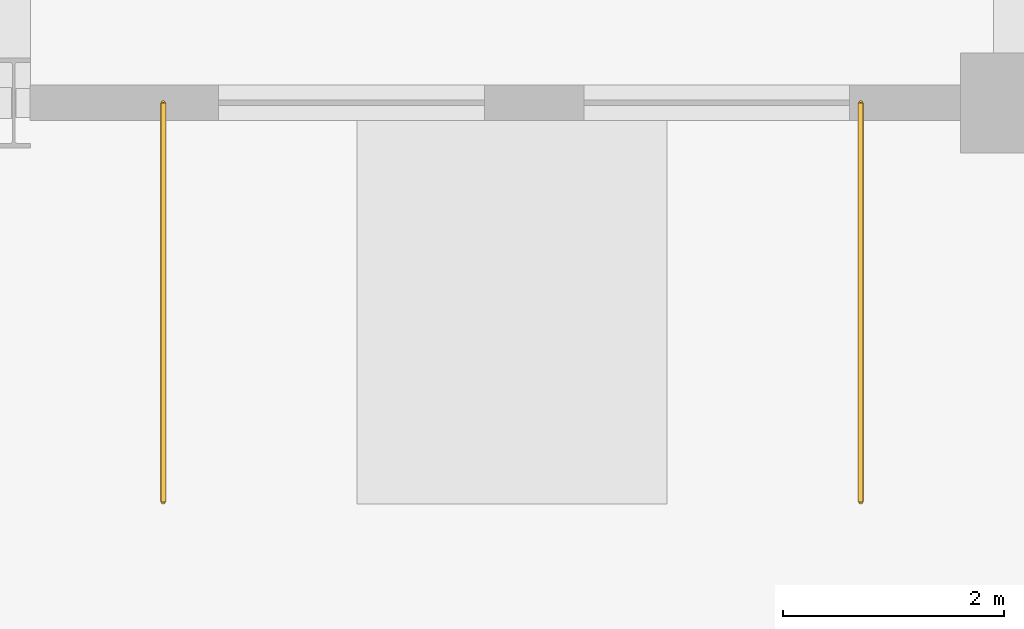
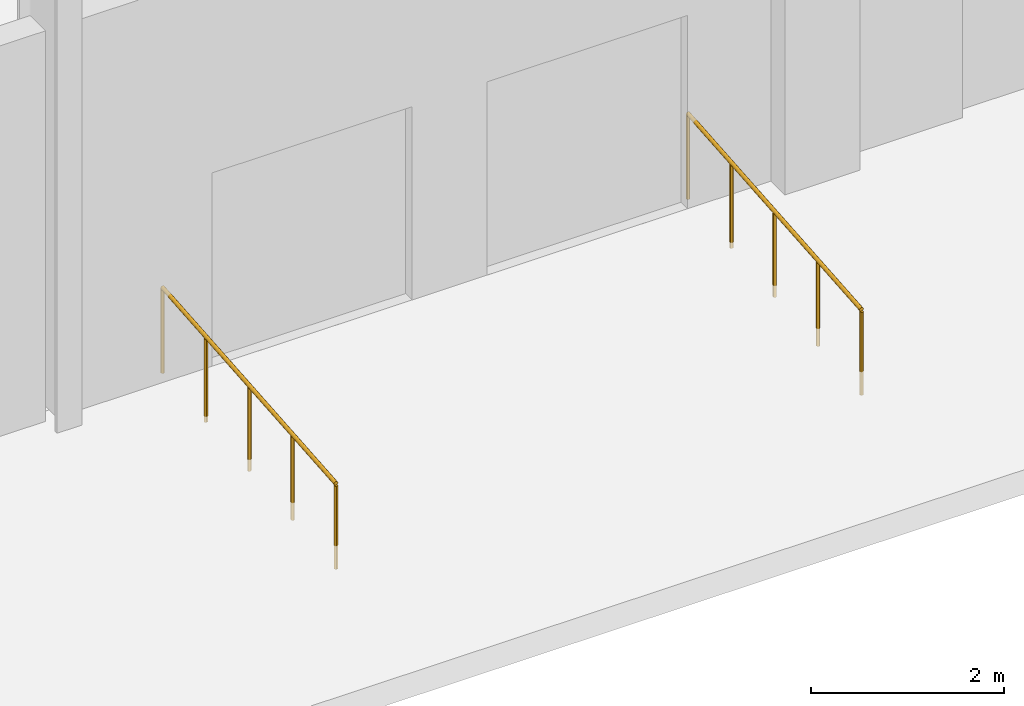
# One storey, part 47 of 58: 2 railings.
"""IFC4 building model written with IfcOpenShell, lengths in metres."""

from ifc_helpers import new_model, si_unit, direction, frame, origin, origin_2d, place, context, subcontext, project, spatial, circle, extrude, material, type_object, element, save


model = new_model("IFC4")

# Units and contexts
model_context = context("Model", 3, precision=1e-05, world=origin(), true_north=direction((0.0, 1.0)))
body_context = subcontext(model_context, "Body", "Model", "MODEL_VIEW")
ifc_project = project(units=[si_unit("LENGTHUNIT", "METRE"), si_unit("AREAUNIT", "SQUARE_METRE"), si_unit("VOLUMEUNIT", "CUBIC_METRE"), si_unit("PLANEANGLEUNIT", "RADIAN"), si_unit("MASSUNIT", "GRAM", prefix="KILO")], contexts=[model_context])

# Site, building, storey
site_placement = place(None, origin())
site = spatial("IfcSite", under=ifc_project, at=site_placement, CompositionType="ELEMENT")
building_placement = place(site_placement, origin())
building = spatial("IfcBuilding", under=site, at=building_placement, Name="Barlavento Convention Centre", CompositionType="ELEMENT")
storey_placement = place(building_placement, origin())
storey = spatial("IfcBuildingStorey", under=building, at=storey_placement, Name="L00", CompositionType="ELEMENT", Elevation=0.0)

# Railings
ifc_material = material(Name="Painted galvanized steel perimeter guardrail", Category="steel")
railing_type = type_object("IfcRailingType", Name="ARC-RAL-PAR-1100", PredefinedType="GUARDRAIL", material=ifc_material)
for number, where, name in (
    (1, (136.35009765625, -3.60009765625, -0.300048828125), "Accessible approach ramp west handrail guard GR02"),
    (2, (142.64990234375, -3.60009765625, -0.300048828125), "Accessible approach ramp east handrail guard GR02"),
):
    element("IfcRailing", number, at=place(storey_placement, frame(where)), inside=storey, type_object=railing_type, Name=name, PredefinedType="GUARDRAIL", context=body_context, shape_type="SweptSolid", body=[
        extrude(circle(Radius=0.02392578125, at=origin_2d()), frame((0.0, 0.0, 1.076171875), z_axis=(0.0, 0.996544826035, 0.083056665618), x_axis=(-1.0, 0.0, 0.0)), (0.0, 0.0, 1.0), 3.612548828125),
        extrude(circle(Radius=0.02099609375, at=origin_2d()), origin(), (0.0, 0.0, 1.0), 1.052001953125),
        extrude(circle(Radius=0.02099609375, at=origin_2d()), frame((0.0, 0.89990234375, 0.074951171875)), (0.0, 0.0, 1.0), 1.052001953125),
        extrude(circle(Radius=0.02099609375, at=origin_2d()), frame((0.0, 1.800048828125, 0.14990234375)), (0.0, 0.0, 1.0), 1.052001953125),
        extrude(circle(Radius=0.02099609375, at=origin_2d()), frame((0.0, 2.7001953125, 0.22509765625)), (0.0, 0.0, 1.0), 1.052001953125),
        extrude(circle(Radius=0.02099609375, at=origin_2d()), frame((0.0, 3.60009765625, 0.300048828125)), (0.0, 0.0, 1.0), 1.052001953125),
    ])

save(model, "model.ifc")
